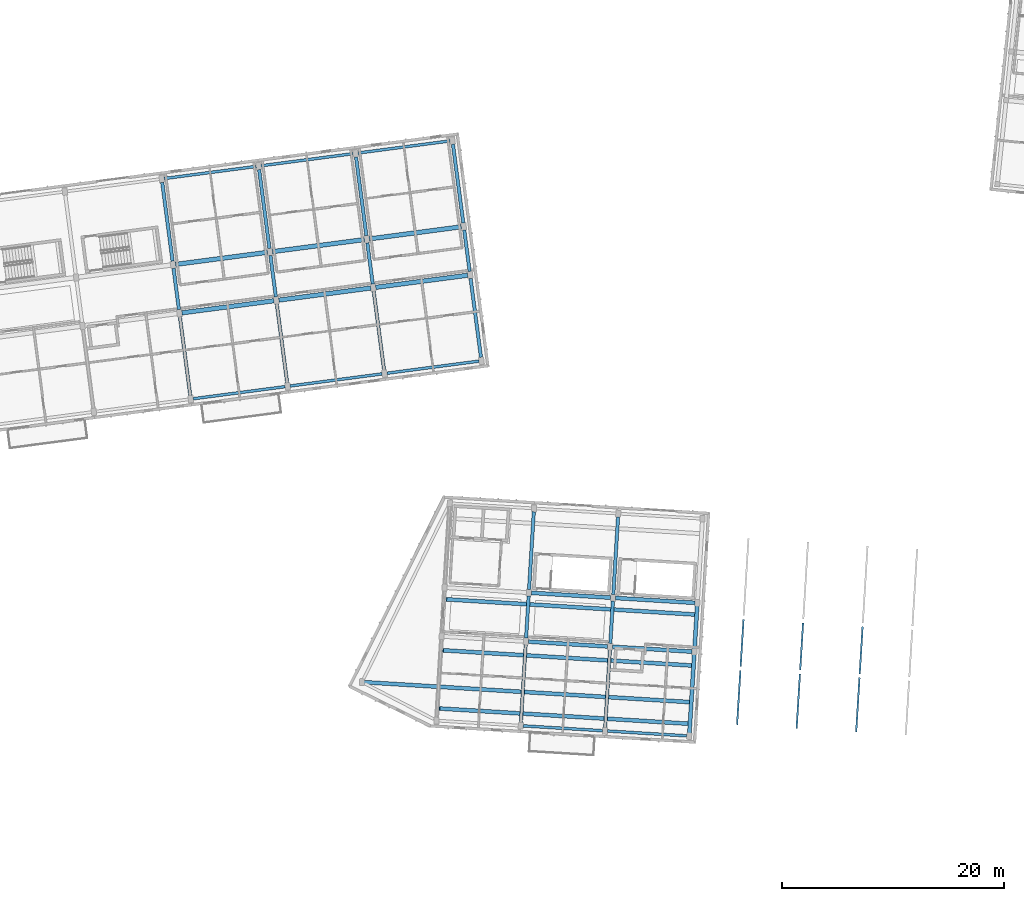
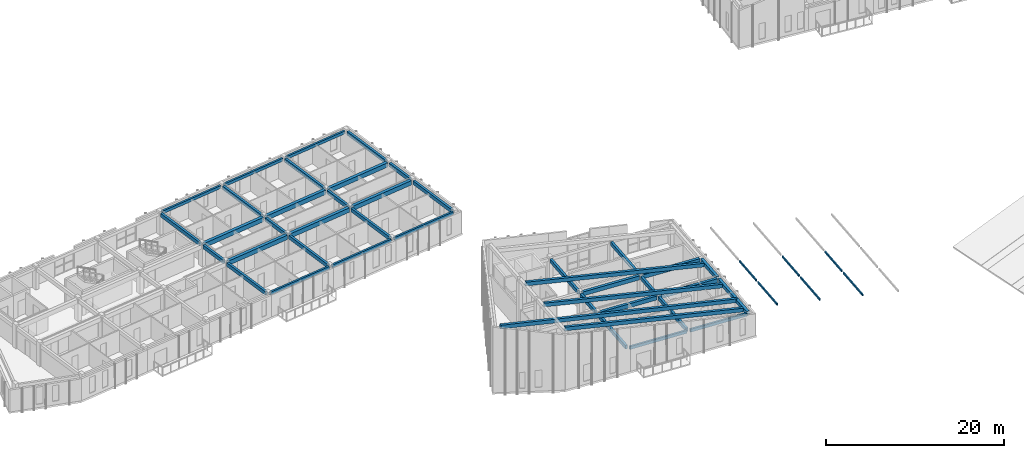
# One storey, part 6 of 45: 42 beams, 6 members.
"""IFC4 building model written with IfcOpenShell, lengths in metres."""

import ifcopenshell
import ifcopenshell.guid

model = None  # the IFC model being written
_history = None  # IfcOwnerHistory: only IFC2X3 demands one
_inside = {}  # id of a spatial element -> (the spatial element, [elements in it])
_under = {}  # id of a project, library or spatial element -> (it, [spatial elements below it])
_declared = {}  # id of a project -> (the project, [libraries it declares])
_typed = {}  # id of a type object -> (the type object, [elements of that type])
_made_of = {}  # id of a material, layer set ... -> (it, [elements and type objects made of it])


def new_model(schema):
    """Start an empty IFC model of exactly this schema.

    Asked for "IFC4X3", IfcOpenShell would pick the latest addendum, in which some entities
    have other attributes; the version numbers below select the first issue.
    IFC2X3 requires an IfcOwnerHistory on every rooted entity: one is made here for all.
    """
    global model, _history
    if schema == "IFC4X3":
        model = ifcopenshell.file(schema_version=(4, 3, 0, 0))
    else:
        model = ifcopenshell.file(schema=schema)
    _inside.clear()
    _under.clear()
    _declared.clear()
    _typed.clear()
    _made_of.clear()
    _history = None
    if model.schema == "IFC2X3":
        org = make("IfcOrganization", Name="unknown")
        user = make(
            "IfcPersonAndOrganization",
            ThePerson=make("IfcPerson", FamilyName="unknown"),
            TheOrganization=org,
        )
        app = make(
            "IfcApplication",
            ApplicationDeveloper=org,
            Version="unknown",
            ApplicationFullName="unknown",
            ApplicationIdentifier="unknown",
        )
        _history = make(
            "IfcOwnerHistory",
            OwningUser=user,
            OwningApplication=app,
            ChangeAction="ADDED",
            CreationDate=0,
        )
    return model


def make(cls, **values):
    """One entity of the class cls with the attributes given. An attribute that is None is left unset."""
    return model.create_entity(
        cls, **{name: value for name, value in values.items() if value is not None}
    )


def rooted(cls, **values):
    """An entity with a GlobalId (a new one), such as an element, a storey or a relation."""
    return make(cls, GlobalId=ifcopenshell.guid.new(), OwnerHistory=_history, **values)


def si_unit(unit_type, name, prefix=None):
    """IfcSIUnit, for example si_unit("LENGTHUNIT", "METRE", prefix="MILLI")."""
    return make("IfcSIUnit", UnitType=unit_type, Prefix=prefix, Name=name)


def assignment(units):
    """IfcUnitAssignment: the units of a project."""
    return None if units is None else make("IfcUnitAssignment", Units=units)


def point(xyz):
    """IfcCartesianPoint."""
    return None if xyz is None else make("IfcCartesianPoint", Coordinates=xyz)


def direction(xyz):
    """IfcDirection."""
    return None if xyz is None else make("IfcDirection", DirectionRatios=xyz)


def frame(location, z_axis=None, x_axis=None):
    """IfcAxis2Placement3D, a coordinate frame: its origin and axes. An axis left out is left unset."""
    return make(
        "IfcAxis2Placement3D",
        Location=point(location),
        Axis=direction(z_axis),
        RefDirection=direction(x_axis),
    )


def frame_2d(location, x_axis=None):
    """IfcAxis2Placement2D, a coordinate frame in the plane: its origin and x axis."""
    return make(
        "IfcAxis2Placement2D", Location=point(location), RefDirection=direction(x_axis)
    )


def origin():
    """The frame at (0, 0, 0) with its axes left unset."""
    return frame((0.0, 0.0, 0.0))


def origin_2d():
    """The frame at (0, 0) in the plane with its x axis left unset."""
    return frame_2d((0.0, 0.0))


def place(relative_to, where):
    """IfcLocalPlacement: puts the frame where relative to a parent placement (None: the world)."""
    return make(
        "IfcLocalPlacement", PlacementRelTo=relative_to, RelativePlacement=where
    )


def context(
    kind, dimensions, precision=None, world=None, true_north=None, identifier=None
):
    """IfcGeometricRepresentationContext, for example the 3D "Model" context."""
    return make(
        "IfcGeometricRepresentationContext",
        ContextIdentifier=identifier,
        ContextType=kind,
        CoordinateSpaceDimension=dimensions,
        Precision=precision,
        WorldCoordinateSystem=world,
        TrueNorth=true_north,
    )


def subcontext(parent, identifier, kind, view, scale=None):
    """IfcGeometricRepresentationSubContext, for example "Body" below "Model"."""
    return make(
        "IfcGeometricRepresentationSubContext",
        ContextIdentifier=identifier,
        ContextType=kind,
        ParentContext=parent,
        TargetScale=scale,
        TargetView=view,
    )


def project(units=None, contexts=None):
    """IfcProject with its units and contexts."""
    return rooted(
        "IfcProject",
        Name="project",
        RepresentationContexts=contexts,
        UnitsInContext=assignment(units),
    )


def spatial(cls, under=None, at=None, **own):
    """A site, building, storey or space (cls), placed at a placement, below another one or the project."""
    s = rooted(cls, ObjectPlacement=at, **own)
    if under is not None:
        _under.setdefault(under.id(), (under, []))[1].append(s)
    return s


def profile(cls, at=None, kind="AREA", **sizes):
    """A parametric profile (cls). Its sizes go by their IFC names, for example OverallWidth=200.0."""
    return make(cls, ProfileType=kind, Position=at, **sizes)


def rectangle(**sizes):
    """IfcRectangleProfileDef."""
    return profile("IfcRectangleProfileDef", **sizes)


def hollow_rectangle(**sizes):
    """IfcRectangleHollowProfileDef."""
    return profile("IfcRectangleHollowProfileDef", **sizes)


def extrude(swept, where, along, depth):
    """IfcExtrudedAreaSolid: the profile swept, set in the frame where, extruded along a direction by depth."""
    return make(
        "IfcExtrudedAreaSolid",
        SweptArea=swept,
        Position=where,
        ExtrudedDirection=direction(along),
        Depth=depth,
    )


def shape(context_of_items, identifier, shape_type, items):
    """IfcShapeRepresentation: the items that make up one representation, for example the "Body"."""
    return make(
        "IfcShapeRepresentation",
        ContextOfItems=context_of_items,
        RepresentationIdentifier=identifier,
        RepresentationType=shape_type,
        Items=items,
    )


def material(Name=None, Category=None):
    """IfcMaterial."""
    return make("IfcMaterial", Name=Name, Category=Category)


def material_profile(
    of_material, cross_section, Name=None, Category=None, Priority=None
):
    """IfcMaterialProfile: a cross section and its material."""
    return make(
        "IfcMaterialProfile",
        Name=Name,
        Material=of_material,
        Profile=cross_section,
        Priority=Priority,
        Category=Category,
    )


def profile_set(profiles, Name=None, composite=None):
    """IfcMaterialProfileSet."""
    return make(
        "IfcMaterialProfileSet",
        Name=Name,
        MaterialProfiles=profiles,
        CompositeProfile=composite,
    )


def made_of(thing, what):
    """Note that an element or type object is made of a material, layer set ...; save() writes the relation."""
    if what is not None:
        _made_of.setdefault(what.id(), (what, []))[1].append(thing)
    return thing


def type_object(cls, material=None, **own):
    """A type object (cls), such as IfcWallType, which elements share."""
    return made_of(rooted(cls, **own), material)


def element(
    cls,
    number,
    at=None,
    inside=None,
    cuts=None,
    type_object=None,
    material=None,
    context=None,
    identifier="Body",
    shape_type=None,
    held_by="IfcProductDefinitionShape",
    body=None,
    shapes=None,
    **own,
):
    """One element of the class cls, such as IfcWall. Its Tag is "e" and its number.

    at: its placement. inside: the storey or other place that contains it. cuts: it is an
    opening in that element (IfcRelVoidsElement). A single representation is given by context,
    identifier, shape_type and body (its items); several are given by shapes. held_by: the class
    of the entity that holds the representations. save() writes the other relations.
    """
    e = rooted(cls, Tag="e%d" % number, ObjectPlacement=at, **own)
    if body is not None:
        shapes = [shape(context, identifier, shape_type, body)]
    if shapes is not None:
        e.Representation = make(held_by, Representations=shapes)
    if inside is not None:
        _inside.setdefault(inside.id(), (inside, []))[1].append(e)
    if cuts is not None:
        rooted(
            "IfcRelVoidsElement", RelatingBuildingElement=cuts, RelatedOpeningElement=e
        )
    if type_object is not None:
        _typed.setdefault(type_object.id(), (type_object, []))[1].append(e)
    return made_of(e, material)


def aggregate(whole, parts):
    """IfcRelAggregates: a whole, such as a stair, and the parts it consists of."""
    return rooted("IfcRelAggregates", RelatingObject=whole, RelatedObjects=parts)


def save(model, path):
    """Write the relations noted so far, then the file.

    IfcRelAggregates (storeys below a building ...), IfcRelContainedInSpatialStructure (elements
    in a storey), IfcRelDefinesByType, IfcRelAssociatesMaterial and IfcRelDeclares: one each for
    every whole, place, type object, material and project.
    """
    for whole, parts in _under.values():
        aggregate(whole, parts)
    for where, things in _inside.values():
        rooted(
            "IfcRelContainedInSpatialStructure",
            RelatedElements=things,
            RelatingStructure=where,
        )
    for kind, things in _typed.values():
        rooted("IfcRelDefinesByType", RelatedObjects=things, RelatingType=kind)
    for what, things in _made_of.values():
        rooted("IfcRelAssociatesMaterial", RelatedObjects=things, RelatingMaterial=what)
    for by, libraries in _declared.values():
        rooted("IfcRelDeclares", RelatingContext=by, RelatedDefinitions=libraries)
    model.write(path)


model = new_model("IFC4")

# Units and contexts
model_context = context("Model", 3, precision=1e-05, world=origin(), true_north=direction((0.0, 1.0)))
body_context = subcontext(model_context, "Body", "Model", "MODEL_VIEW")
ifc_project = project(units=[si_unit("LENGTHUNIT", "METRE"), si_unit("AREAUNIT", "SQUARE_METRE"), si_unit("VOLUMEUNIT", "CUBIC_METRE"), si_unit("PLANEANGLEUNIT", "RADIAN"), si_unit("MASSUNIT", "GRAM", prefix="KILO")], contexts=[model_context])

# Site, building, storey
site_placement = place(None, origin())
site = spatial("IfcSite", under=ifc_project, at=site_placement, CompositionType="ELEMENT")
building_placement = place(site_placement, origin())
building = spatial("IfcBuilding", under=site, at=building_placement, Name="Kestramere Prow Commons", CompositionType="ELEMENT")
storey_placement = place(building_placement, frame((0.0, 0.0, 31.14990234375)))
storey = spatial("IfcBuildingStorey", under=building, at=storey_placement, Name="L09", CompositionType="ELEMENT", Elevation=31.14990234375)

# Beams
ifc_material_1 = material(Name="Precast concrete C40/50", Category="concrete")
ifc_material_profile_1 = material_profile(ifc_material_1, rectangle(XDim=0.39990234375, YDim=0.60009765625, at=origin_2d()), Name="PC-BM 400x600")
ifc_profile_set_1 = profile_set([ifc_material_profile_1], Name="Precast concrete C40/50")
beam_type_1 = type_object("IfcBeamType", Name="BM-A1 PC-BM 400x600", PredefinedType="BEAM", material=ifc_profile_set_1)
for number, where, z_axis, x_axis, name in (
    (1, (36.5791015625, 83.20849609375, 2.7001953125), (0.991445635283, 0.13052031366, 0.0), (-0.13052031366, 0.991445635283, 0.0), "Block A L09 Longitudinal Beam 2-4"),
    (2, (45.3037109375, 84.357177734375, 2.7001953125), (0.991445635283, 0.13052031366, 0.0), (-0.13052031366, 0.991445635283, 0.0), "Block A L09 Longitudinal Beam 2-5"),
    (3, (54.028564453125, 85.505859375, 2.7001953125), (0.991445635283, 0.13052031366, 0.0), (-0.13052031366, 0.991445635283, 0.0), "Block A L09 Longitudinal Beam 2-6"),
    (4, (36.0048828125, 87.57080078125, 2.7001953125), (0.991441851318, 0.130549053825, 0.0), (-0.130549053825, 0.991441851318, 0.0), "Block A L09 Longitudinal Beam 3-4"),
    (5, (44.7294921875, 88.719482421875, 2.7001953125), (0.991445635283, 0.13052031366, 0.0), (-0.13052031366, 0.991445635283, 0.0), "Block A L09 Longitudinal Beam 3-5"),
    (6, (53.454345703125, 89.8681640625, 2.7001953125), (0.991445635283, 0.13052031366, 0.0), (-0.13052031366, 0.991445635283, 0.0), "Block A L09 Longitudinal Beam 3-6"),
):
    element("IfcBeam", number, at=place(storey_placement, frame(where, z_axis=z_axis, x_axis=x_axis)), inside=storey, type_object=beam_type_1, Name=name, PredefinedType="BEAM", context=body_context, shape_type="SweptSolid", body=[
        extrude(rectangle(XDim=0.39990234375, YDim=0.60009765625, at=origin_2d()), origin(), (0.0, 0.0, 1.0), 8.35009765625),
    ])
ifc_material_profile_2 = material_profile(ifc_material_1, rectangle(XDim=0.35009765625, YDim=0.550048828125, at=origin_2d()), Name="PC-BM 350x550")
ifc_profile_set_2 = profile_set([ifc_material_profile_2], Name="Precast concrete C40/50")
beam_type_2 = type_object("IfcBeamType", Name="BM-C1 PC-BM 350x550", PredefinedType="BEAM", material=ifc_profile_set_2)
for number, where, z_axis, x_axis, name in (
    (7, (67.7744140625, 53.608154296875, 2.72509765625), (0.998134602239, -0.061051747017, 0.0), (0.061051747017, 0.998134602239, 0.0), "Block C L09 Longitudinal Beam 2-2"),
    (8, (75.360107421875, 53.14404296875, 2.72509765625), (0.998136682403, -0.061017728909, 0.0), (0.061017728909, 0.998136682403, 0.0), "Block C L09 Longitudinal Beam 2-3"),
    (9, (68.04296875, 58.0, 2.72509765625), (0.998134602239, -0.061051747017, 0.0), (0.061051747017, 0.998134602239, 0.0), "Block C L09 Longitudinal Beam 3-2"),
):
    element("IfcBeam", number, at=place(storey_placement, frame(where, z_axis=z_axis, x_axis=x_axis)), inside=storey, type_object=beam_type_2, Name=name, PredefinedType="BEAM", context=body_context, shape_type="SweptSolid", body=[
        extrude(rectangle(XDim=0.35009765625, YDim=0.550048828125, at=origin_2d()), origin(), (0.0, 0.0, 1.0), 7.150146484375),
    ])
beam_1_placement = place(storey_placement, frame((75.62890625, 57.535888671875, 2.72509765625), z_axis=(0.998134474962, -0.061053827828, 0.0), x_axis=(0.061053827828, 0.998134474962, 0.0)))
element("IfcBeam", 10, at=beam_1_placement, inside=storey, type_object=beam_type_2, Name="Block C L09 Longitudinal Beam 3-3", PredefinedType="BEAM", context=body_context, shape_type="SweptSolid", body=[
    extrude(rectangle(XDim=0.35009765625, YDim=0.550048828125, at=origin_2d()), origin(), (0.0, 0.0, 1.0), 7.14990234375),
])
ifc_material_profile_3 = material_profile(ifc_material_1, rectangle(XDim=0.300048828125, YDim=0.5, at=origin_2d()), Name="PC-BM 300x500")
ifc_profile_set_3 = profile_set([ifc_material_profile_3], Name="Precast concrete C40/50")
beam_type_3 = type_object("IfcBeamType", Name="BM-TIE-01 PC-BM 300x500", PredefinedType="BEAM", material=ifc_profile_set_3)
beam_2_placement = place(storey_placement, frame((37.331787109375, 75.76806640625, 2.75), z_axis=(-0.130537539388, 0.991443367425, 0.0), x_axis=(-0.991443367425, -0.130537539388, 0.0)))
element("IfcBeam", 11, at=beam_2_placement, inside=storey, type_object=beam_type_3, Name="Block A L09 Transverse Beam 4-1", PredefinedType="BEAM", context=body_context, shape_type="SweptSolid", body=[
    extrude(rectangle(XDim=0.300048828125, YDim=0.5, at=origin_2d()), origin(), (0.0, 0.0, 1.0), 7.150146484375),
])
beam_3_placement = place(storey_placement, frame((36.313720703125, 83.50146484375, 2.75), z_axis=(-0.130538720766, 0.991443211879, 0.0), x_axis=(-0.991443211879, -0.130538720766, 0.0)))
element("IfcBeam", 12, at=beam_3_placement, inside=storey, type_object=beam_type_3, Name="Block A L09 Transverse Beam 4-2", PredefinedType="BEAM", context=body_context, shape_type="SweptSolid", body=[
    extrude(rectangle(XDim=0.300048828125, YDim=0.5, at=origin_2d()), origin(), (0.0, 0.0, 1.0), 3.749755859375),
])
for number, where, z_axis, x_axis, name in (
    (13, (35.7392578125, 87.86376953125, 2.75), (-0.130503975686, 0.991447785983, 0.0), (-0.991447785983, -0.130503975686, 0.0), "Block A L09 Transverse Beam 4-3"),
    (14, (46.056396484375, 76.916748046875, 2.75), (-0.130503975686, 0.991447785983, 0.0), (-0.991447785983, -0.130503975686, 0.0), "Block A L09 Transverse Beam 5-1"),
):
    element("IfcBeam", number, at=place(storey_placement, frame(where, z_axis=z_axis, x_axis=x_axis)), inside=storey, type_object=beam_type_3, Name=name, PredefinedType="BEAM", context=body_context, shape_type="SweptSolid", body=[
        extrude(rectangle(XDim=0.300048828125, YDim=0.5, at=origin_2d()), origin(), (0.0, 0.0, 1.0), 7.14990234375),
    ])
beam_4_placement = place(storey_placement, frame((45.038330078125, 84.64990234375, 2.75), z_axis=(-0.130530295097, 0.991444321211, 0.0), x_axis=(-0.991444321211, -0.130530295097, 0.0)))
element("IfcBeam", 15, at=beam_4_placement, inside=storey, type_object=beam_type_3, Name="Block A L09 Transverse Beam 5-2", PredefinedType="BEAM", context=body_context, shape_type="SweptSolid", body=[
    extrude(rectangle(XDim=0.300048828125, YDim=0.5, at=origin_2d()), origin(), (0.0, 0.0, 1.0), 3.75),
])
for number, where, z_axis, x_axis, name in (
    (16, (44.464111328125, 89.012451171875, 2.75), (-0.130537539388, 0.991443367425, 0.0), (-0.991443367425, -0.130537539388, 0.0), "Block A L09 Transverse Beam 5-3"),
    (17, (54.78125, 78.0654296875, 2.75), (-0.130537539388, 0.991443367425, 0.0), (-0.991443367425, -0.130537539388, 0.0), "Block A L09 Transverse Beam 6-1"),
):
    element("IfcBeam", number, at=place(storey_placement, frame(where, z_axis=z_axis, x_axis=x_axis)), inside=storey, type_object=beam_type_3, Name=name, PredefinedType="BEAM", context=body_context, shape_type="SweptSolid", body=[
        extrude(rectangle(XDim=0.300048828125, YDim=0.5, at=origin_2d()), origin(), (0.0, 0.0, 1.0), 7.150146484375),
    ])
beam_5_placement = place(storey_placement, frame((53.762939453125, 85.798583984375, 2.75), z_axis=(-0.130466301114, 0.991452744347, 0.0), x_axis=(-0.991452744347, -0.130466301114, 0.0)))
element("IfcBeam", 18, at=beam_5_placement, inside=storey, type_object=beam_type_3, Name="Block A L09 Transverse Beam 6-2", PredefinedType="BEAM", context=body_context, shape_type="SweptSolid", body=[
    extrude(rectangle(XDim=0.300048828125, YDim=0.5, at=origin_2d()), origin(), (0.0, 0.0, 1.0), 3.75),
])
beam_6_placement = place(storey_placement, frame((53.188720703125, 90.160888671875, 2.75), z_axis=(-0.130537539388, 0.991443367425, 0.0), x_axis=(-0.991443367425, -0.130537539388, 0.0)))
element("IfcBeam", 19, at=beam_6_placement, inside=storey, type_object=beam_type_3, Name="Block A L09 Transverse Beam 6-3", PredefinedType="BEAM", context=body_context, shape_type="SweptSolid", body=[
    extrude(rectangle(XDim=0.300048828125, YDim=0.5, at=origin_2d()), origin(), (0.0, 0.0, 1.0), 7.150146484375),
])
beam_7_placement = place(storey_placement, frame((63.505859375, 79.214111328125, 2.75), z_axis=(-0.130541958643, 0.991442785557, 0.0), x_axis=(-0.991442785557, -0.130541958643, 0.0)))
element("IfcBeam", 20, at=beam_7_placement, inside=storey, type_object=beam_type_3, Name="Block A L09 Transverse Beam 7-1", PredefinedType="BEAM", context=body_context, shape_type="SweptSolid", body=[
    extrude(rectangle(XDim=0.300048828125, YDim=0.5, at=origin_2d()), origin(), (0.0, 0.0, 1.0), 7.14990234375),
])
beam_8_placement = place(storey_placement, frame((62.48779296875, 86.947265625, 2.75), z_axis=(-0.130530295097, 0.991444321211, 0.0), x_axis=(-0.991444321211, -0.130530295097, 0.0)))
element("IfcBeam", 21, at=beam_8_placement, inside=storey, type_object=beam_type_3, Name="Block A L09 Transverse Beam 7-2", PredefinedType="BEAM", context=body_context, shape_type="SweptSolid", body=[
    extrude(rectangle(XDim=0.300048828125, YDim=0.5, at=origin_2d()), origin(), (0.0, 0.0, 1.0), 3.75),
])
beam_9_placement = place(storey_placement, frame((61.913330078125, 91.3095703125, 2.75), z_axis=(-0.130503975686, 0.991447785983, 0.0), x_axis=(-0.991447785983, -0.130503975686, 0.0)))
element("IfcBeam", 22, at=beam_9_placement, inside=storey, type_object=beam_type_3, Name="Block A L09 Transverse Beam 7-3", PredefinedType="BEAM", context=body_context, shape_type="SweptSolid", body=[
    extrude(rectangle(XDim=0.300048828125, YDim=0.5, at=origin_2d()), origin(), (0.0, 0.0, 1.0), 7.14990234375),
])
beam_10_placement = place(storey_placement, frame((67.104248046875, 46.33544921875, 2.75), z_axis=(0.061034188237, 0.998135676081, 0.0), x_axis=(-0.998135676081, 0.061034188237, 0.0)))
element("IfcBeam", 23, at=beam_10_placement, inside=storey, type_object=beam_type_3, Name="Block C L09 Transverse Beam 2-1", PredefinedType="BEAM", context=body_context, shape_type="SweptSolid", body=[
    extrude(rectangle(XDim=0.300048828125, YDim=0.5, at=origin_2d()), origin(), (0.0, 0.0, 1.0), 7.0),
])
beam_11_placement = place(storey_placement, frame((67.568115234375, 53.92138671875, 2.75), z_axis=(0.061038214251, 0.99813542989, 0.0), x_axis=(-0.99813542989, 0.061038214251, 0.0)))
element("IfcBeam", 24, at=beam_11_placement, inside=storey, type_object=beam_type_3, Name="Block C L09 Transverse Beam 2-2", PredefinedType="BEAM", context=body_context, shape_type="SweptSolid", body=[
    extrude(rectangle(XDim=0.300048828125, YDim=0.5, at=origin_2d()), origin(), (0.0, 0.0, 1.0), 3.7998046875),
])
beam_12_placement = place(storey_placement, frame((67.836669921875, 58.31298828125, 2.75), z_axis=(0.061068934883, 0.99813355078, 0.0), x_axis=(-0.99813355078, 0.061068934883, 0.0)))
element("IfcBeam", 25, at=beam_12_placement, inside=storey, type_object=beam_type_3, Name="Block C L09 Transverse Beam 2-3", PredefinedType="BEAM", context=body_context, shape_type="SweptSolid", body=[
    extrude(rectangle(XDim=0.300048828125, YDim=0.5, at=origin_2d()), origin(), (0.0, 0.0, 1.0), 7.000244140625),
])
beam_13_placement = place(storey_placement, frame((74.68994140625, 45.87158203125, 2.75), z_axis=(0.061036313012, 0.998135546153, 0.0), x_axis=(-0.998135546153, 0.061036313012, 0.0)))
element("IfcBeam", 26, at=beam_13_placement, inside=storey, type_object=beam_type_3, Name="Block C L09 Transverse Beam 3-1", PredefinedType="BEAM", context=body_context, shape_type="SweptSolid", body=[
    extrude(rectangle(XDim=0.300048828125, YDim=0.5, at=origin_2d()), origin(), (0.0, 0.0, 1.0), 6.999755859375),
])
beam_14_placement = place(storey_placement, frame((75.154052734375, 53.457275390625, 2.75), z_axis=(0.061034300063, 0.998135669243, 0.0), x_axis=(-0.998135669243, 0.061034300063, 0.0)))
element("IfcBeam", 27, at=beam_14_placement, inside=storey, type_object=beam_type_3, Name="Block C L09 Transverse Beam 3-2", PredefinedType="BEAM", context=body_context, shape_type="SweptSolid", body=[
    extrude(rectangle(XDim=0.300048828125, YDim=0.5, at=origin_2d()), origin(), (0.0, 0.0, 1.0), 3.800048828125),
])
beam_15_placement = place(storey_placement, frame((75.422607421875, 57.84912109375, 2.75), z_axis=(0.061034188237, 0.998135676081, 0.0), x_axis=(-0.998135676081, 0.061034188237, 0.0)))
element("IfcBeam", 28, at=beam_15_placement, inside=storey, type_object=beam_type_3, Name="Block C L09 Transverse Beam 3-3", PredefinedType="BEAM", context=body_context, shape_type="SweptSolid", body=[
    extrude(rectangle(XDim=0.300048828125, YDim=0.5, at=origin_2d()), origin(), (0.0, 0.0, 1.0), 7.0),
])

# Members
ifc_material_2 = material(Name="Steel S355JR", Category="steel")
ifc_material_profile_4 = material_profile(ifc_material_2, hollow_rectangle(XDim=0.14990234375, YDim=0.25, WallThickness=0.010009765625, at=origin_2d()), Name="RHS 250x150x10")
ifc_profile_set_4 = profile_set([ifc_material_profile_4], Name="Steel S355JR")
member_type = type_object("IfcMemberType", Name="PUR-01 RHS 250x150x10", PredefinedType="PURLIN", material=ifc_profile_set_4)
member_1_placement = place(storey_placement, frame((86.56591796875, 46.1220703125, 1.9228515625), z_axis=(0.061035098836, 0.998135620399, 0.0), x_axis=(-0.998135620399, 0.061035098836, 0.0)))
element("IfcMember", 29, at=member_1_placement, inside=storey, type_object=member_type, Name="Block C Prow Roof Purlin 1-1", PredefinedType="PURLIN", context=body_context, shape_type="SweptSolid", body=[
    extrude(hollow_rectangle(XDim=0.14990234375, YDim=0.25, WallThickness=0.010009765625, at=origin_2d()), origin(), (0.0, 0.0, 1.0), 4.89990234375),
])
member_2_placement = place(storey_placement, frame((86.88623046875, 51.362060546875, 1.9228515625), z_axis=(0.061062177941, 0.998133964168, 0.0), x_axis=(-0.998133964168, 0.061062177941, 0.0)))
element("IfcMember", 30, at=member_2_placement, inside=storey, type_object=member_type, Name="Block C Prow Roof Purlin 1-2", PredefinedType="PURLIN", context=body_context, shape_type="SweptSolid", body=[
    extrude(hollow_rectangle(XDim=0.14990234375, YDim=0.25, WallThickness=0.010009765625, at=origin_2d()), origin(), (0.0, 0.0, 1.0), 4.25),
])
member_3_placement = place(storey_placement, frame((91.927001953125, 45.7939453125, 0.88916015625), z_axis=(0.061035098836, 0.998135620399, 0.0), x_axis=(-0.998135620399, 0.061035098836, 0.0)))
element("IfcMember", 31, at=member_3_placement, inside=storey, type_object=member_type, Name="Block C Prow Roof Purlin 2-1", PredefinedType="PURLIN", context=body_context, shape_type="SweptSolid", body=[
    extrude(hollow_rectangle(XDim=0.14990234375, YDim=0.25, WallThickness=0.010009765625, at=origin_2d()), origin(), (0.0, 0.0, 1.0), 4.89990234375),
])
member_4_placement = place(storey_placement, frame((92.24755859375, 51.0341796875, 0.88916015625), z_axis=(0.06100494857, 0.998137463604, 0.0), x_axis=(-0.998137463604, 0.06100494857, 0.0)))
element("IfcMember", 32, at=member_4_placement, inside=storey, type_object=member_type, Name="Block C Prow Roof Purlin 2-2", PredefinedType="PURLIN", context=body_context, shape_type="SweptSolid", body=[
    extrude(hollow_rectangle(XDim=0.14990234375, YDim=0.25, WallThickness=0.010009765625, at=origin_2d()), origin(), (0.0, 0.0, 1.0), 4.25),
])
member_5_placement = place(storey_placement, frame((97.2880859375, 45.466064453125, -0.14453125), z_axis=(0.06108473757, 0.998132583796, 0.0), x_axis=(-0.998132583796, 0.06108473757, 0.0)))
element("IfcMember", 33, at=member_5_placement, inside=storey, type_object=member_type, Name="Block C Prow Roof Purlin 3-1", PredefinedType="PURLIN", context=body_context, shape_type="SweptSolid", body=[
    extrude(hollow_rectangle(XDim=0.14990234375, YDim=0.25, WallThickness=0.010009765625, at=origin_2d()), origin(), (0.0, 0.0, 1.0), 4.89990234375),
])
member_6_placement = place(storey_placement, frame((97.608642578125, 50.706298828125, -0.14453125), z_axis=(0.061062177941, 0.998133964168, 0.0), x_axis=(-0.998133964168, 0.061062177941, 0.0)))
element("IfcMember", 34, at=member_6_placement, inside=storey, type_object=member_type, Name="Block C Prow Roof Purlin 3-2", PredefinedType="PURLIN", context=body_context, shape_type="SweptSolid", body=[
    extrude(hollow_rectangle(XDim=0.14990234375, YDim=0.25, WallThickness=0.010009765625, at=origin_2d()), origin(), (0.0, 0.0, 1.0), 4.25),
])

# Beams
ifc_material_profile_5 = material_profile(ifc_material_1, rectangle(XDim=0.35009765625, YDim=0.5, at=origin_2d()), Name="PC-RB 350x500")
ifc_profile_set_5 = profile_set([ifc_material_profile_5], Name="Precast concrete C40/50")
beam_type_4 = type_object("IfcBeamType", Name="RB-PR-02 PC-RB 350x500", PredefinedType="BEAM", material=ifc_profile_set_5)
beam_16_placement = place(storey_placement, frame((82.2685546875, 45.287841796875, 2.75830078125), z_axis=(0.061036700418, 0.998135522463, 0.0), x_axis=(-0.998135522463, 0.061036700418, 0.0)))
element("IfcBeam", 35, at=beam_16_placement, inside=storey, type_object=beam_type_4, Name="Block C Prow Mid-Slope Transverse Girder 1", PredefinedType="BEAM", context=body_context, shape_type="SweptSolid", body=[
    extrude(rectangle(XDim=0.35009765625, YDim=0.5, at=origin_2d()), origin(), (0.0, 0.0, 1.0), 7.23974609375),
])
beam_17_placement = place(storey_placement, frame((82.732421875, 52.87353515625, 2.75830078125), z_axis=(0.061035113863, 0.998135619481, 0.0), x_axis=(-0.998135619481, 0.061035113863, 0.0)))
element("IfcBeam", 36, at=beam_17_placement, inside=storey, type_object=beam_type_4, Name="Block C Prow Mid-Slope Transverse Girder 2", PredefinedType="BEAM", context=body_context, shape_type="SweptSolid", body=[
    extrude(rectangle(XDim=0.35009765625, YDim=0.5, at=origin_2d()), origin(), (0.0, 0.0, 1.0), 4.0400390625),
])
beam_18_placement = place(storey_placement, frame((59.77685546875, 47.585205078125, 7.145263671875), z_axis=(0.979493212407, -0.059916975528, -0.192361646106), x_axis=(0.061057274842, 0.998134264109, 0.0)))
element("IfcBeam", 37, at=beam_18_placement, inside=storey, type_object=beam_type_4, Name="Block C Upper Prow Raking Rafter 1", PredefinedType="BEAM", context=body_context, shape_type="SweptSolid", body=[
    extrude(rectangle(XDim=0.35009765625, YDim=0.5, at=origin_2d()), origin(), (0.0, 0.0, 1.0), 22.805908203125),
])
beam_19_placement = place(storey_placement, frame((60.09716796875, 52.825439453125, 7.145263671875), z_axis=(0.979493646957, -0.059916347265, -0.192359629087), x_axis=(0.061056610022, 0.998134304777, 0.0)))
element("IfcBeam", 38, at=beam_19_placement, inside=storey, type_object=beam_type_4, Name="Block C Upper Prow Raking Rafter 2", PredefinedType="BEAM", context=body_context, shape_type="SweptSolid", body=[
    extrude(rectangle(XDim=0.35009765625, YDim=0.5, at=origin_2d()), origin(), (0.0, 0.0, 1.0), 22.80615234375),
])
beam_20_placement = place(storey_placement, frame((60.378173828125, 57.416748046875, 7.145263671875), z_axis=(0.979493840621, -0.059906308755, -0.19236176948), x_axis=(0.061046406571, 0.998134928877, 0.0)))
element("IfcBeam", 39, at=beam_20_placement, inside=storey, type_object=beam_type_4, Name="Block C Upper Prow Raking Rafter 3", PredefinedType="BEAM", context=body_context, shape_type="SweptSolid", body=[
    extrude(rectangle(XDim=0.35009765625, YDim=0.5, at=origin_2d()), origin(), (0.0, 0.0, 1.0), 22.805908203125),
])
beam_21_placement = place(storey_placement, frame((82.443603515625, 48.15234375, 2.75830078125), z_axis=(-0.980582491303, 0.059978144048, 0.186709935424), x_axis=(-0.061051733569, -0.998134603061, 0.0)))
element("IfcBeam", 40, at=beam_21_placement, inside=storey, type_object=beam_type_4, Name="Block C Prow Nose Ridge Rafter", PredefinedType="BEAM", context=body_context, shape_type="SweptSolid", body=[
    extrude(rectangle(XDim=0.35009765625, YDim=0.5, at=origin_2d()), origin(), (0.0, 0.0, 1.0), 30.2314453125),
])
ifc_material_profile_6 = material_profile(ifc_material_1, rectangle(XDim=0.25, YDim=0.39990234375, at=origin_2d()), Name="PC-SP 250x400")
ifc_profile_set_6 = profile_set([ifc_material_profile_6], Name="Precast concrete C40/50")
beam_type_5 = type_object("IfcBeamType", Name="SP-EXT-01 PC-SP 250x400", PredefinedType="SPANDREL", material=ifc_profile_set_6)
for number, where, z_axis, x_axis, name in (
    (41, (37.59716796875, 75.475341796875, 2.800048828125), (0.991445635283, 0.13052031366, 0.0), (-0.13052031366, 0.991445635283, 0.0), "Block A L09 Longitudinal Beam 1-4"),
    (42, (46.322021484375, 76.623779296875, 2.800048828125), (0.991441851318, 0.130549053825, 0.0), (-0.130549053825, 0.991441851318, 0.0), "Block A L09 Longitudinal Beam 1-5"),
    (43, (55.046630859375, 77.7724609375, 2.800048828125), (0.991445635283, 0.13052031366, 0.0), (-0.13052031366, 0.991445635283, 0.0), "Block A L09 Longitudinal Beam 1-6"),
    (44, (34.98681640625, 95.30419921875, 2.800048828125), (0.991445635283, 0.13052031366, 0.0), (-0.13052031366, 0.991445635283, 0.0), "Block A L09 Longitudinal Beam 4-4"),
    (45, (43.71142578125, 96.452880859375, 2.800048828125), (0.991445635283, 0.13052031366, 0.0), (-0.13052031366, 0.991445635283, 0.0), "Block A L09 Longitudinal Beam 4-5"),
    (46, (52.43603515625, 97.601318359375, 2.800048828125), (0.991441851318, 0.130549053825, 0.0), (-0.130549053825, 0.991441851318, 0.0), "Block A L09 Longitudinal Beam 4-6"),
):
    element("IfcBeam", number, at=place(storey_placement, frame(where, z_axis=z_axis, x_axis=x_axis)), inside=storey, type_object=beam_type_5, Name=name, PredefinedType="SPANDREL", context=body_context, shape_type="SweptSolid", body=[
        extrude(rectangle(XDim=0.25, YDim=0.39990234375, at=origin_2d()), origin(), (0.0, 0.0, 1.0), 8.35009765625),
    ])
for number, where, z_axis, x_axis, name in (
    (47, (67.310302734375, 46.022216796875, 2.800048828125), (0.998134602239, -0.061051747017, 0.0), (0.061051747017, 0.998134602239, 0.0), "Block C L09 Longitudinal Beam 1-2"),
    (48, (74.896240234375, 45.558349609375, 2.800048828125), (0.998134602239, -0.061051747017, 0.0), (0.061051747017, 0.998134602239, 0.0), "Block C L09 Longitudinal Beam 1-3"),
):
    element("IfcBeam", number, at=place(storey_placement, frame(where, z_axis=z_axis, x_axis=x_axis)), inside=storey, type_object=beam_type_5, Name=name, PredefinedType="SPANDREL", context=body_context, shape_type="SweptSolid", body=[
        extrude(rectangle(XDim=0.25, YDim=0.39990234375, at=origin_2d()), origin(), (0.0, 0.0, 1.0), 7.150146484375),
    ])

save(model, "model.ifc")
